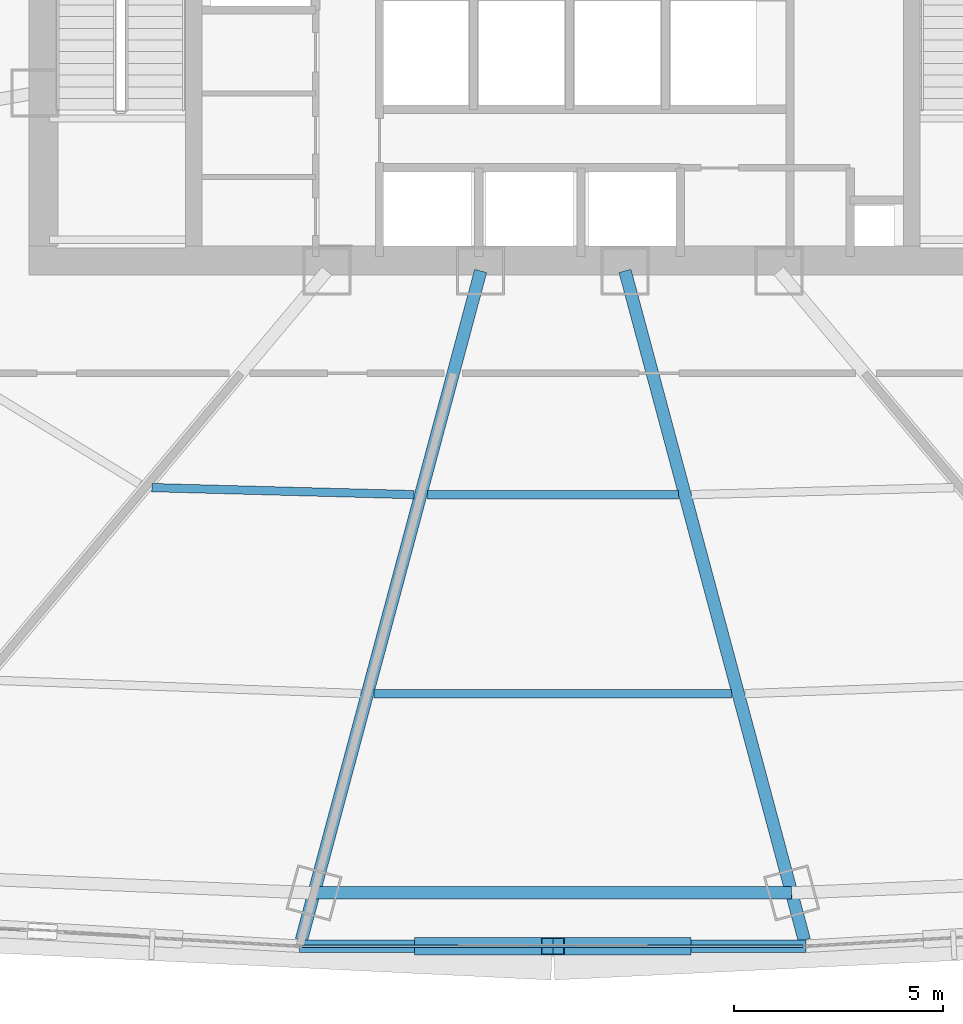
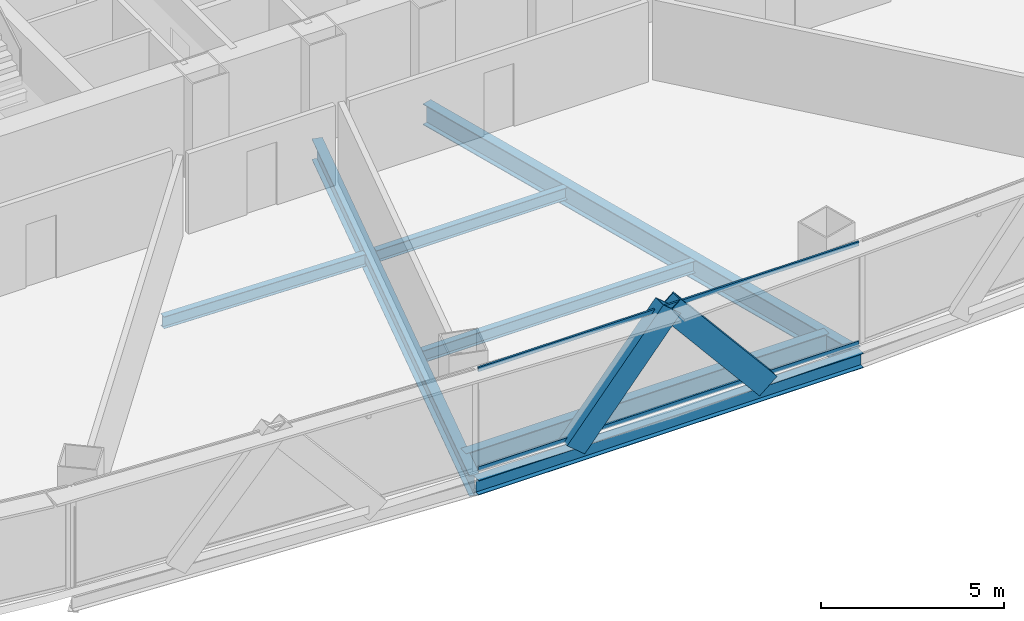
# One storey, part 9 of 37: 7 beams, 4 members, 1 element without a shape of its own.
"""IFC4 building model written with IfcOpenShell, lengths in metres."""

from ifc_helpers import new_model, si_unit, direction, frame, origin, origin_2d, place, context, subcontext, project, spatial, hollow_rectangle, i_section, extrude, source, transform, mapped, material, layer, layer_set, material_profile, profile_set, type_object, element, aggregate, save


model = new_model("IFC4")

# Units and contexts
model_context = context("Model", 3, precision=1e-05, world=origin(), true_north=direction((0.0, 1.0)))
body_context = subcontext(model_context, "Body", "Model", "MODEL_VIEW")
ifc_project = project(units=[si_unit("LENGTHUNIT", "METRE"), si_unit("AREAUNIT", "SQUARE_METRE"), si_unit("VOLUMEUNIT", "CUBIC_METRE"), si_unit("PLANEANGLEUNIT", "RADIAN"), si_unit("MASSUNIT", "GRAM", prefix="KILO"), si_unit("THERMODYNAMICTEMPERATUREUNIT", "KELVIN"), si_unit("POWERUNIT", "WATT")], contexts=[model_context])

# Site, building, storey
site_placement = place(None, origin())
site = spatial("IfcSite", under=ifc_project, at=site_placement, CompositionType="ELEMENT")
building_placement = place(site_placement, origin())
building = spatial("IfcBuilding", under=site, at=building_placement, Name="Yunzhuo Pagoda Commons", CompositionType="ELEMENT")
storey_placement = place(building_placement, frame((0.0, 0.0, 52.179931640625)))
storey = spatial("IfcBuildingStorey", under=building, at=storey_placement, Name="L13", CompositionType="ELEMENT", Elevation=52.179931640625)

# Beams
ifc_material_1 = material(Name="Structural steel Q355B", Category="steel")
ifc_material_profile_1 = material_profile(ifc_material_1, i_section(OverallWidth=0.300048828125, OverallDepth=0.699951171875, WebThickness=0.012939453125, FlangeThickness=0.02392578125, at=origin_2d()), Name="Structural steel Q355B")
ifc_profile_set_1 = profile_set([ifc_material_profile_1], Name="Structural steel Q355B")
beam_type_1 = type_object("IfcBeamType", Name="B-RG1 Beam HN 700x300x13x24", PredefinedType="BEAM", material=ifc_profile_set_1)
shared_shape_1 = source(origin(), body_context, "Body", "SweptSolid", [
    extrude(i_section(OverallWidth=0.300048828125, OverallDepth=0.699951171875, WebThickness=0.012939453125, FlangeThickness=0.02392578125, at=origin_2d()), origin(), (0.0, 0.0, 1.0), 11.4404296875),
])
beam_1_placement = place(storey_placement, frame((42.27978515625, 12.35205078125, -0.60986328125), z_axis=(1.0, 0.0, 0.0), x_axis=(0.0, 1.0, 0.0)))
element("IfcBeam", 1, at=beam_1_placement, inside=storey, type_object=beam_type_1, Name="L13 column-ring beam 2", PredefinedType="BEAM", context=body_context, shape_type="MappedRepresentation", body=[
    mapped(shared_shape_1, transform((0.0, 0.0, 0.0), scale=1.0)),
])
ifc_material_profile_2 = material_profile(ifc_material_1, i_section(OverallWidth=0.199951171875, OverallDepth=0.39990234375, WebThickness=0.008056640625, FlangeThickness=0.012939453125, at=origin_2d()), Name="Structural steel Q355B")
ifc_profile_set_2 = profile_set([ifc_material_profile_2], Name="Structural steel Q355B")
beam_type_2 = type_object("IfcBeamType", Name="B-JS1 Joist HN 400x200x8x13", PredefinedType="JOIST", material=ifc_profile_set_2)
shared_shape_2 = source(origin(), body_context, "Body", "SweptSolid", [
    extrude(i_section(OverallWidth=0.199951171875, OverallDepth=0.39990234375, WebThickness=0.008056640625, FlangeThickness=0.012939453125, at=origin_2d()), origin(), (0.0, 0.0, 1.0), 6.28271484375),
])
beam_2_placement = place(storey_placement, frame((38.395263671875, 22.06005859375, -0.4599609375), z_axis=(0.999638393847, -0.026890175648, 0.0), x_axis=(0.026890175648, 0.999638393847, 0.0)))
element("IfcBeam", 2, at=beam_2_placement, inside=storey, type_object=beam_type_2, Name="L13 composite ring joist 1.1", PredefinedType="JOIST", context=body_context, shape_type="MappedRepresentation", body=[
    mapped(shared_shape_2, transform((0.0, 0.0, 0.0), scale=1.0)),
])
shared_shape_3 = source(origin(), body_context, "Body", "SweptSolid", [
    extrude(i_section(OverallWidth=0.199951171875, OverallDepth=0.39990234375, WebThickness=0.008056640625, FlangeThickness=0.012939453125, at=origin_2d()), origin(), (0.0, 0.0, 1.0), 6.0126953125),
])
beam_3_placement = place(storey_placement, frame((44.99365234375, 21.88671875, -0.4599609375), z_axis=(1.0, 0.0, 0.0), x_axis=(0.0, 1.0, 0.0)))
element("IfcBeam", 3, at=beam_3_placement, inside=storey, type_object=beam_type_2, Name="L13 composite ring joist 1.2", PredefinedType="JOIST", context=body_context, shape_type="MappedRepresentation", body=[
    mapped(shared_shape_3, transform((0.0, 0.0, 0.0), scale=1.0)),
])
shared_shape_4 = source(origin(), body_context, "Body", "SweptSolid", [
    extrude(i_section(OverallWidth=0.199951171875, OverallDepth=0.39990234375, WebThickness=0.008056640625, FlangeThickness=0.012939453125, at=origin_2d()), origin(), (0.0, 0.0, 1.0), 8.5673828125),
])
beam_4_placement = place(storey_placement, frame((43.71630859375, 17.119384765625, -0.4599609375), z_axis=(1.0, 0.0, 0.0), x_axis=(0.0, 1.0, 0.0)))
element("IfcBeam", 4, at=beam_4_placement, inside=storey, type_object=beam_type_2, Name="L13 composite ring joist 2.2", PredefinedType="JOIST", context=body_context, shape_type="MappedRepresentation", body=[
    mapped(shared_shape_4, transform((0.0, 0.0, 0.0), scale=1.0)),
])
shared_shape_5 = source(origin(), body_context, "Body", "SweptSolid", [
    extrude(i_section(OverallWidth=0.300048828125, OverallDepth=0.699951171875, WebThickness=0.012939453125, FlangeThickness=0.02392578125, at=origin_2d()), origin(), (0.0, 0.0, 1.0), 16.591064453125),
])
beam_5_placement = place(storey_placement, frame((41.977783203125, 11.224365234375, -0.60986328125), z_axis=(0.258826555959, 0.96592381373, 0.0), x_axis=(-0.96592381373, 0.258826555959, 0.0)))
element("IfcBeam", 5, at=beam_5_placement, inside=storey, type_object=beam_type_1, Name="L13 radial floor girder F1C2", PredefinedType="BEAM", context=body_context, shape_type="MappedRepresentation", body=[
    mapped(shared_shape_5, transform((0.0, 0.0, 0.0), scale=1.0)),
])
shared_shape_6 = source(origin(), body_context, "Body", "SweptSolid", [
    extrude(i_section(OverallWidth=0.300048828125, OverallDepth=0.699951171875, WebThickness=0.012939453125, FlangeThickness=0.02392578125, at=origin_2d()), origin(), (0.0, 0.0, 1.0), 16.5908203125),
])
beam_6_placement = place(storey_placement, frame((54.022216796875, 11.224365234375, -0.60986328125), z_axis=(-0.258799096727, 0.965931171219, 0.0), x_axis=(-0.965931171219, -0.258799096727, 0.0)))
element("IfcBeam", 6, at=beam_6_placement, inside=storey, type_object=beam_type_1, Name="L13 radial floor girder F1C3", PredefinedType="BEAM", context=body_context, shape_type="MappedRepresentation", body=[
    mapped(shared_shape_6, transform((0.0, 0.0, 0.0), scale=1.0)),
])
ifc_material_profile_3 = material_profile(ifc_material_1, i_section(OverallWidth=0.300048828125, OverallDepth=0.488037109375, WebThickness=0.010986328125, FlangeThickness=0.01806640625, at=origin_2d()), Name="Structural steel Q355B")
ifc_profile_set_3 = profile_set([ifc_material_profile_3], Name="Structural steel Q355B")
beam_type_3 = type_object("IfcBeamType", Name="B-SP1 Beam HM 488x300x11x18", PredefinedType="BEAM", material=ifc_profile_set_3)
shared_shape_7 = source(origin(), body_context, "Body", "SweptSolid", [
    extrude(i_section(OverallWidth=0.300048828125, OverallDepth=0.488037109375, WebThickness=0.010986328125, FlangeThickness=0.01806640625, at=origin_2d()), origin(), (0.0, 0.0, 1.0), 12.125),
])
beam_7_placement = place(storey_placement, frame((41.9375, 11.07470703125, -0.50390625), z_axis=(1.0, 0.0, 0.0), x_axis=(0.0, 1.0, 0.0)))
element("IfcBeam", 7, at=beam_7_placement, inside=storey, type_object=beam_type_3, Name="L13 facade edge spandrel beam F1.2", PredefinedType="BEAM", context=body_context, shape_type="MappedRepresentation", body=[
    mapped(shared_shape_7, transform((0.0, 0.0, 0.0), scale=1.0)),
])

# Members
ifc_material_2 = material(Name="Structural steel Q420B", Category="steel")
ifc_material_profile_4 = material_profile(ifc_material_2, hollow_rectangle(XDim=0.419921875, YDim=0.719970703125, WallThickness=0.028076171875, at=origin_2d()), Name="Structural steel Q420B")
ifc_profile_set_4 = profile_set([ifc_material_profile_4], Name="Structural steel Q420B")
member_type_1 = type_object("IfcMemberType", Name="M-DL1 Brace BOX 720x420x28", PredefinedType="BRACE", material=ifc_profile_set_4)
shared_shape_8 = source(origin(), body_context, "Body", "SweptSolid", [
    extrude(hollow_rectangle(XDim=0.419921875, YDim=0.719970703125, WallThickness=0.028076171875, at=origin_2d()), origin(), (0.0, 0.0, 1.0), 4.729248046875),
])
for number, where, z_axis, x_axis, name in (
    (8, (44.96875, 11.07470703125, -0.260009765625), (0.640950808878, 0.0, 0.767581956927), (0.0, 1.0, 0.0), "L13 facade diamond brace F1.2L"),
    (9, (51.03125, 11.07470703125, -0.260009765625), (-0.640950808878, 0.0, 0.767581956927), (0.0, -1.0, 0.0), "L13 facade diamond brace F1.2R"),
):
    element("IfcMember", number, at=place(storey_placement, frame(where, z_axis=z_axis, x_axis=x_axis)), inside=storey, type_object=member_type_1, Name=name, PredefinedType="BRACE", context=body_context, shape_type="MappedRepresentation", body=[
        mapped(shared_shape_8, transform((0.0, 0.0, 0.0), scale=1.0)),
    ])

# Curtain wall, members
ifc_material_3 = material(Name="Anodized aluminium 6063-T6", Category="aluminium")
ifc_layer = layer(ifc_material_3, 0.1650390625)
ifc_layer_set = layer_set([ifc_layer], Name="Anodized aluminium 6063-T6")
curtain_wall_type = type_object("IfcCurtainWallType", Name="CW-LOW Low-Zone Ribbon Curtain Wall", PredefinedType="NOTDEFINED", material=ifc_layer_set)
curtain_wall_placement = place(storey_placement, origin())
curtain_wall = element("IfcCurtainWall", 10, at=curtain_wall_placement, inside=storey, type_object=curtain_wall_type, Name="L13 curtain wall CW-L13-F1B3", PredefinedType="NOTDEFINED")
ifc_material_profile_5 = material_profile(ifc_material_3, hollow_rectangle(XDim=0.06005859375, YDim=0.139892578125, WallThickness=0.00341796875, at=origin_2d()), Name="Anodized aluminium 6063-T6")
ifc_profile_set_5 = profile_set([ifc_material_profile_5], Name="Anodized aluminium 6063-T6")
member_type_2 = type_object("IfcMemberType", Name="CW-LOW-T Transom RHS 140x60x3.5", PredefinedType="USERDEFINED", material=ifc_profile_set_5)
shared_shape_9 = source(origin(), body_context, "Body", "SweptSolid", [
    extrude(hollow_rectangle(XDim=0.06005859375, YDim=0.139892578125, WallThickness=0.00341796875, at=origin_2d()), origin(), (0.0, 0.0, 1.0), 11.9951171875),
])
member_1_placement = place(storey_placement, frame((42.00244140625, 11.07470703125, 0.030029296875), z_axis=(1.0, 0.0, 0.0), x_axis=(0.0, 1.0, 0.0)))
member_1 = element("IfcMember", 11, at=member_1_placement, type_object=member_type_2, Name="CW transom 1.1", ObjectType="TRANSOM", PredefinedType="USERDEFINED", context=body_context, shape_type="MappedRepresentation", body=[
    mapped(shared_shape_9, transform((0.0, 0.0, 0.0), scale=1.0)),
])
member_2_placement = place(storey_placement, frame((42.00244140625, 11.07470703125, 3.34033203125), z_axis=(1.0, 0.0, 0.0), x_axis=(0.0, 1.0, 0.0)))
member_2 = element("IfcMember", 12, at=member_2_placement, type_object=member_type_2, Name="CW transom 1.2", ObjectType="TRANSOM", PredefinedType="USERDEFINED", context=body_context, shape_type="MappedRepresentation", body=[
    mapped(shared_shape_9, transform((0.0, 0.0, 0.0), scale=1.0)),
])
aggregate(curtain_wall, [member_1, member_2])

save(model, "model.ifc")
